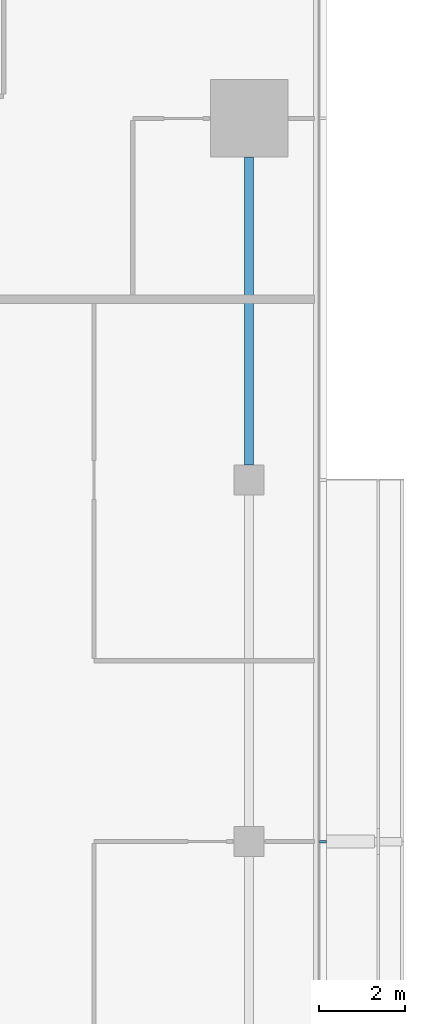
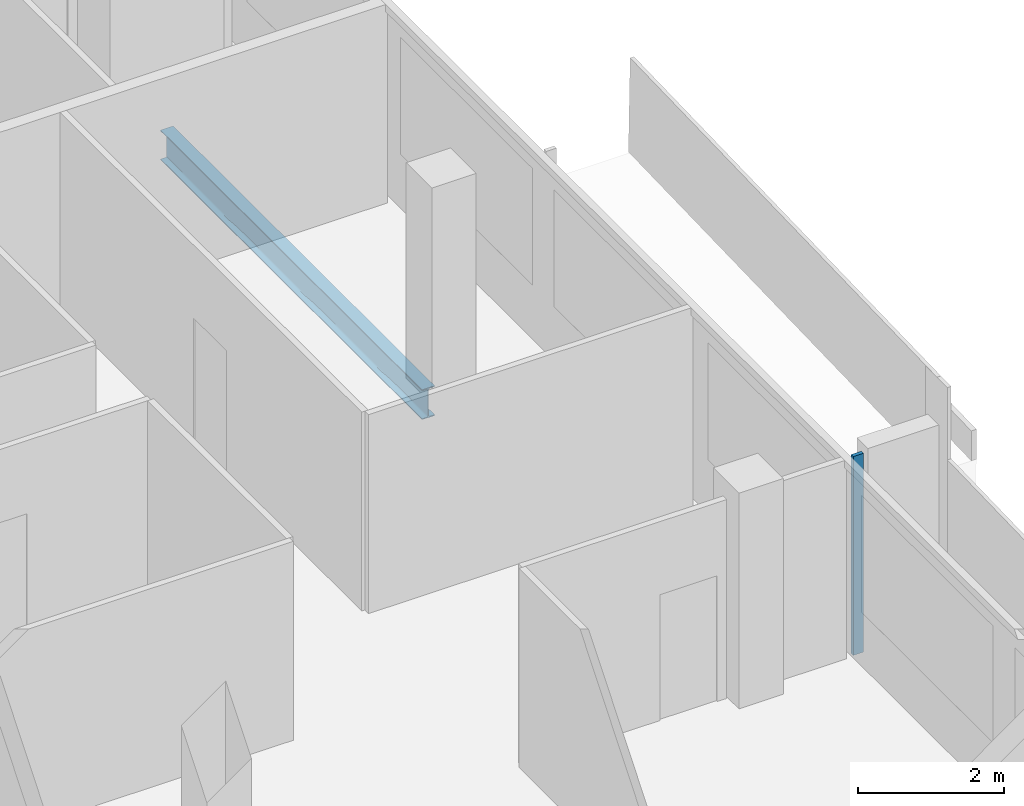
# One storey, part 12 of 29: 1 beam, 1 member, 1 element without a shape of its own.
"""IFC4 building model written with IfcOpenShell, lengths in metres."""

from ifc_helpers import new_model, si_unit, direction, frame, origin, origin_2d, place, context, subcontext, project, spatial, rectangle, i_section, extrude, material, material_profile, profile_set, type_object, element, aggregate, save


model = new_model("IFC4")

# Units and contexts
model_context = context("Model", 3, precision=1e-05, world=origin(), true_north=direction((0.0, 1.0)))
body_context = subcontext(model_context, "Body", "Model", "MODEL_VIEW")
ifc_project = project(units=[si_unit("LENGTHUNIT", "METRE"), si_unit("AREAUNIT", "SQUARE_METRE"), si_unit("VOLUMEUNIT", "CUBIC_METRE"), si_unit("PLANEANGLEUNIT", "RADIAN"), si_unit("MASSUNIT", "GRAM", prefix="KILO")], contexts=[model_context])

# Site, building, storey
site_placement = place(None, origin())
site = spatial("IfcSite", under=ifc_project, at=site_placement, CompositionType="ELEMENT")
building_placement = place(site_placement, origin())
building = spatial("IfcBuilding", under=site, at=building_placement, Name="Saffron Gate Tower", CompositionType="ELEMENT")
storey_placement = place(building_placement, frame((0.0, 0.0, 161.85009765625)))
storey = spatial("IfcBuildingStorey", under=building, at=storey_placement, Name="L39", CompositionType="ELEMENT", Elevation=161.85009765625)

# Beam
ifc_material_1 = material(Name="Structural steel S355", Category="steel")
ifc_material_profile_1 = material_profile(ifc_material_1, i_section(OverallWidth=0.199951171875, OverallDepth=0.5, WebThickness=0.01025390625, FlangeThickness=0.01611328125, FilletRadius=0.02099609375, at=origin_2d()))
ifc_profile_set_1 = profile_set([ifc_material_profile_1], Name="Structural steel S355")
beam_type = type_object("IfcBeamType", Name="B11 IPE 500", PredefinedType="SPANDREL", material=ifc_profile_set_1)
beam_placement = place(storey_placement, frame((125.39990234375, 57.35009765625, -0.530029296875), z_axis=(0.0, 1.0, 0.0), x_axis=(-1.0, 0.0, 0.0)))
element("IfcBeam", 1, at=beam_placement, inside=storey, type_object=beam_type, Name="B11 SPANDREL BEAM", PredefinedType="SPANDREL", context=body_context, shape_type="SweptSolid", body=[
    extrude(i_section(OverallWidth=0.199951171875, OverallDepth=0.5, WebThickness=0.01025390625, FlangeThickness=0.01611328125, FilletRadius=0.02099609375, at=origin_2d()), origin(), (0.0, 0.0, 1.0), 7.14990234375),
])

# Curtain wall, member
ifc_material_2 = material(Name="Aluminium, bronze anodised", Category="aluminium")
curtain_wall_type = type_object("IfcCurtainWallType", Name="CWS2 curtain wall side facades", PredefinedType="NOTDEFINED", material=ifc_material_2)
curtain_wall_placement = place(storey_placement, origin())
curtain_wall = element("IfcCurtainWall", 2, at=curtain_wall_placement, inside=storey, type_object=curtain_wall_type, Name="CWS2 run 4", PredefinedType="NOTDEFINED")
ifc_material_profile_2 = material_profile(ifc_material_2, rectangle(XDim=0.159912109375, YDim=0.06005859375, at=origin_2d()))
ifc_profile_set_2 = profile_set([ifc_material_profile_2], Name="Aluminium, bronze anodised")
member_type = type_object("IfcMemberType", Name="CWS2 mullion 60x160", PredefinedType="MULLION", material=ifc_profile_set_2)
member_placement = place(storey_placement, frame((127.1201171875, 48.60009765625, 0.0), z_axis=(0.0, 0.0, 1.0), x_axis=(-1.0, 0.0, 0.0)))
member = element("IfcMember", 3, at=member_placement, type_object=member_type, Name="CWS2 mullion 3", PredefinedType="MULLION", context=body_context, shape_type="SweptSolid", body=[
    extrude(rectangle(XDim=0.159912109375, YDim=0.06005859375, at=origin_2d()), origin(), (0.0, 0.0, 1.0), 3.31982421875),
])
aggregate(curtain_wall, [member])

save(model, "model.ifc")
